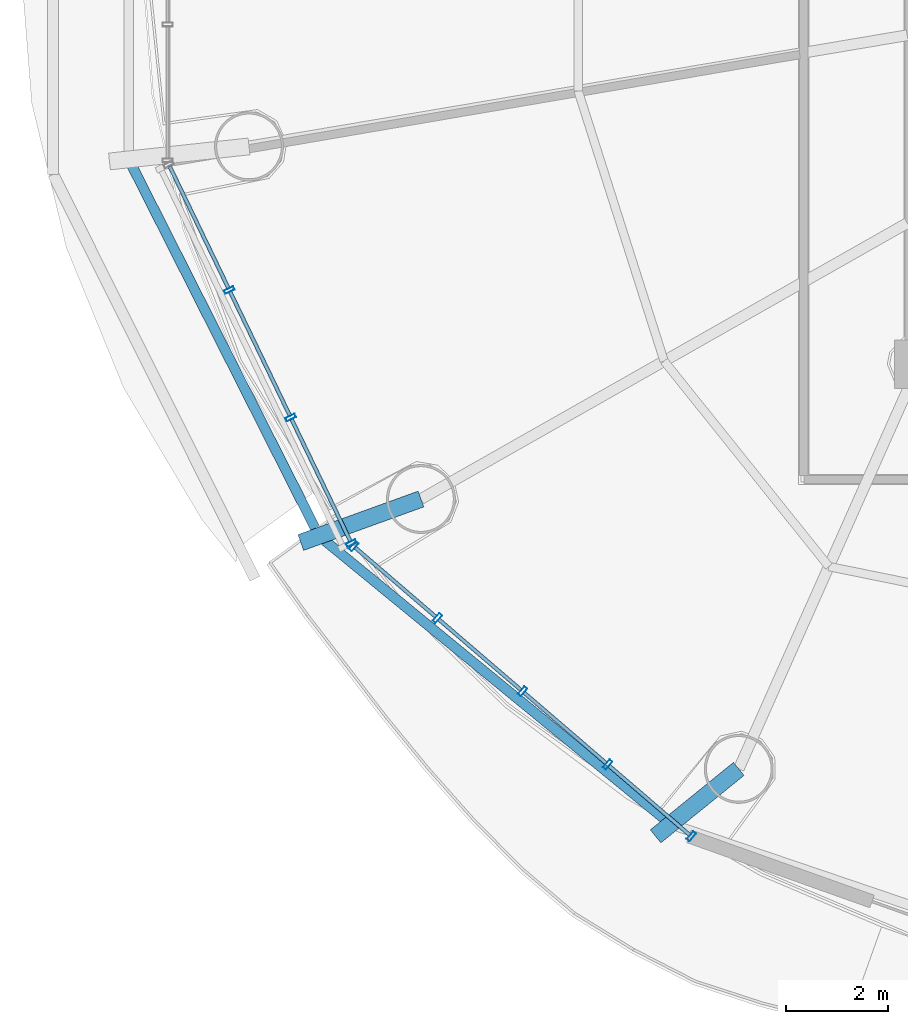
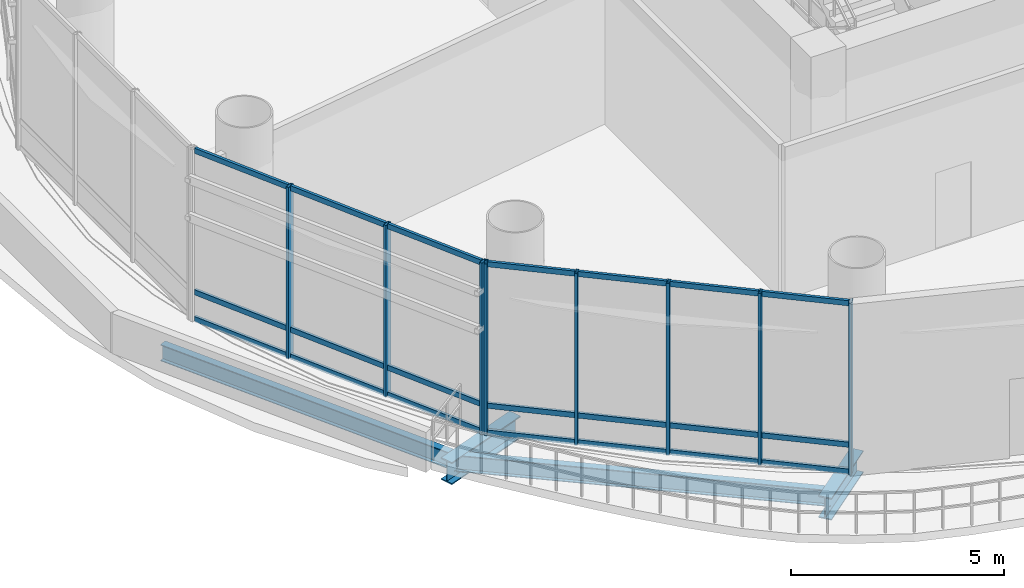
# One storey, part 2 of 29: 29 members, 4 beams, 2 elements without a shape of their own.
"""IFC4 building model written with IfcOpenShell, lengths in metres."""

from ifc_helpers import new_model, si_unit, direction, frame, origin, origin_2d, place, context, subcontext, project, spatial, hollow_rectangle, i_section, extrude, source, transform, mapped, material, material_profile, profile_set, type_object, element, aggregate, save


model = new_model("IFC4")

# Units and contexts
model_context = context("Model", 3, precision=1e-05, world=origin(), true_north=direction((-0.2419218956, 0.970295726276)))
body_context = subcontext(model_context, "Body", "Model", "MODEL_VIEW")
ifc_project = project(units=[si_unit("LENGTHUNIT", "METRE"), si_unit("AREAUNIT", "SQUARE_METRE"), si_unit("VOLUMEUNIT", "CUBIC_METRE"), si_unit("PLANEANGLEUNIT", "RADIAN"), si_unit("MASSUNIT", "GRAM", prefix="KILO")], contexts=[model_context])

# Site, building, storey
site_placement = place(None, origin())
site = spatial("IfcSite", under=ifc_project, at=site_placement, CompositionType="ELEMENT")
building_placement = place(site_placement, origin())
building = spatial("IfcBuilding", under=site, at=building_placement, Name="Cobrevalo Terracotta Tower", CompositionType="ELEMENT")
storey_placement = place(building_placement, frame((0.0, 0.0, 130.199951171875)))
storey = spatial("IfcBuildingStorey", under=building, at=storey_placement, Name="L34", CompositionType="ELEMENT", Elevation=130.199951171875)

# Beams
ifc_material_1 = material(Name="Steel S355", Category="steel")
ifc_material_profile_1 = material_profile(ifc_material_1, i_section(OverallWidth=0.3291015625, OverallDepth=0.635009765625, WebThickness=0.017822265625, FlangeThickness=0.031005859375, at=origin_2d()), Name="W 610x241")
ifc_profile_set_1 = profile_set([ifc_material_profile_1], Name="Steel S355")
beam_type_1 = type_object("IfcBeamType", Name="Structural Beam W 610x241 (Steel S355)", PredefinedType="BEAM", material=ifc_profile_set_1)
beam_1_placement = place(storey_placement, frame((16.8974609375, 15.309326171875, -0.767333984375), z_axis=(0.94030515472, 0.340332508007, 0.0), x_axis=(-0.340332508007, 0.94030515472, 0.0)))
element("IfcBeam", 1, at=beam_1_placement, inside=storey, type_object=beam_type_1, Name="L34 setback step-link girder 10", PredefinedType="BEAM", context=body_context, shape_type="SweptSolid", body=[
    extrude(i_section(OverallWidth=0.3291015625, OverallDepth=0.635009765625, WebThickness=0.017822265625, FlangeThickness=0.031005859375, at=origin_2d()), origin(), (0.0, 0.0, 1.0), 2.502197265625),
])
beam_2_placement = place(storey_placement, frame((23.84326171875, 9.55712890625, -0.767333984375), z_axis=(0.776808092636, 0.629737395439, 0.0), x_axis=(-0.629737395439, 0.776808092636, 0.0)))
element("IfcBeam", 2, at=beam_2_placement, inside=storey, type_object=beam_type_1, Name="L34 setback step-link girder 11", PredefinedType="BEAM", context=body_context, shape_type="SweptSolid", body=[
    extrude(i_section(OverallWidth=0.3291015625, OverallDepth=0.635009765625, WebThickness=0.017822265625, FlangeThickness=0.031005859375, at=origin_2d()), origin(), (0.0, 0.0, 1.0), 2.0966796875),
])
ifc_material_profile_2 = material_profile(ifc_material_1, i_section(OverallWidth=0.194091796875, OverallDepth=0.468994140625, WebThickness=0.011474609375, FlangeThickness=0.0205078125, at=origin_2d()), Name="W 460x106")
ifc_profile_set_2 = profile_set([ifc_material_profile_2], Name="Steel S355")
beam_type_2 = type_object("IfcBeamType", Name="Structural Spandrel W 460x106 (Steel S355)", PredefinedType="SPANDREL", material=ifc_profile_set_2)
beam_3_placement = place(storey_placement, frame((13.529296875, 22.810302734375, -0.6845703125), z_axis=(0.451051982172, -0.892497680321, 0.0), x_axis=(0.892497680321, 0.451051982172, 0.0)))
element("IfcBeam", 3, at=beam_3_placement, inside=storey, type_object=beam_type_2, Name="L34 perimeter ring spandrel 09", PredefinedType="SPANDREL", context=body_context, shape_type="SweptSolid", body=[
    extrude(i_section(OverallWidth=0.194091796875, OverallDepth=0.468994140625, WebThickness=0.011474609375, FlangeThickness=0.0205078125, at=origin_2d()), origin(), (0.0, 0.0, 1.0), 8.259765625),
])
beam_4_placement = place(storey_placement, frame((17.2548828125, 15.4384765625, -0.6845703125), z_axis=(0.773400923541, -0.633917196064, 0.0), x_axis=(0.633917196064, 0.773400923541, 0.0)))
element("IfcBeam", 4, at=beam_4_placement, inside=storey, type_object=beam_type_2, Name="L34 perimeter ring spandrel 10", PredefinedType="SPANDREL", context=body_context, shape_type="SweptSolid", body=[
    extrude(i_section(OverallWidth=0.194091796875, OverallDepth=0.468994140625, WebThickness=0.011474609375, FlangeThickness=0.0205078125, at=origin_2d()), origin(), (0.0, 0.0, 1.0), 8.900390625),
])

# Curtain wall, members
ifc_material_2 = material(Name="Anodized aluminium", Category="aluminium")
curtain_wall_type = type_object("IfcCurtainWallType", Name="Double-height sky-lobby panoramic curtain wall CW-SK", PredefinedType="NOTDEFINED", material=ifc_material_2)
curtain_wall_1_placement = place(storey_placement, origin())
curtain_wall_1 = element("IfcCurtainWall", 5, at=curtain_wall_1_placement, inside=storey, type_object=curtain_wall_type, Name="L34 curtain wall CW-SK-L34-S09", PredefinedType="NOTDEFINED")
ifc_material_profile_3 = material_profile(ifc_material_2, hollow_rectangle(XDim=0.074951171875, YDim=0.199951171875, WallThickness=0.0048828125, at=origin_2d()), Name="CWM 75x200")
ifc_profile_set_3 = profile_set([ifc_material_profile_3], Name="Anodized aluminium")
member_type_1 = type_object("IfcMemberType", Name="Lower/mid tower unitised mullion 75x200", PredefinedType="MULLION", material=ifc_profile_set_3)
shared_shape_1 = source(origin(), body_context, "Body", "SweptSolid", [
    extrude(hollow_rectangle(XDim=0.074951171875, YDim=0.199951171875, WallThickness=0.0048828125, at=origin_2d()), origin(), (0.0, 0.0, 1.0), 4.929931640625),
])
member_1_placement = place(storey_placement, frame((15.497314453125, 20.252197265625, 0.0), z_axis=(0.0, 0.0, 1.0), x_axis=(0.434209440271, -0.900811945957, 0.0)))
member_1 = element("IfcMember", 6, at=member_1_placement, type_object=member_type_1, Name="CW-SK-L34-S09 vertical mullion 02", PredefinedType="MULLION", context=body_context, shape_type="MappedRepresentation", body=[
    mapped(shared_shape_1, transform((0.0, 0.0, 0.0), scale=1.0)),
])
member_2_placement = place(storey_placement, frame((16.700439453125, 17.756591796875, 0.0), z_axis=(0.0, 0.0, 1.0), x_axis=(0.434209440271, -0.900811945957, 0.0)))
member_2 = element("IfcMember", 7, at=member_2_placement, type_object=member_type_1, Name="CW-SK-L34-S09 vertical mullion 03", PredefinedType="MULLION", context=body_context, shape_type="MappedRepresentation", body=[
    mapped(shared_shape_1, transform((0.0, 0.0, 0.0), scale=1.0)),
])
member_3_placement = place(storey_placement, frame((17.885986328125, 15.296875, 0.0), z_axis=(0.0, 0.0, 1.0), x_axis=(0.434209440271, -0.900811945957, 0.0)))
member_3 = element("IfcMember", 8, at=member_3_placement, type_object=member_type_1, Name="CW-SK-L34-S09 vertical mullion 04", PredefinedType="MULLION", context=body_context, shape_type="MappedRepresentation", body=[
    mapped(shared_shape_1, transform((0.0, 0.0, 0.0), scale=1.0)),
])

curtain_wall_2_placement = place(storey_placement, origin())
curtain_wall_2 = element("IfcCurtainWall", 9, at=curtain_wall_2_placement, inside=storey, type_object=curtain_wall_type, Name="L34 curtain wall CW-SK-L34-S10", PredefinedType="NOTDEFINED")
member_4_placement = place(storey_placement, frame((17.933837890625, 15.234619140625, 0.0), z_axis=(0.0, 0.0, 1.0), x_axis=(0.758441546142, -0.65174106905, 0.0)))
member_4 = element("IfcMember", 10, at=member_4_placement, type_object=member_type_1, Name="CW-SK-L34-S10 vertical mullion 01", PredefinedType="MULLION", context=body_context, shape_type="MappedRepresentation", body=[
    mapped(shared_shape_1, transform((0.0, 0.0, 0.0), scale=1.0)),
])
member_5_placement = place(storey_placement, frame((19.570556640625, 13.828125, 0.0), z_axis=(0.0, 0.0, 1.0), x_axis=(0.758441546142, -0.65174106905, 0.0)))
member_5 = element("IfcMember", 11, at=member_5_placement, type_object=member_type_1, Name="CW-SK-L34-S10 vertical mullion 02", PredefinedType="MULLION", context=body_context, shape_type="MappedRepresentation", body=[
    mapped(shared_shape_1, transform((0.0, 0.0, 0.0), scale=1.0)),
])
member_6_placement = place(storey_placement, frame((21.237548828125, 12.3955078125, 0.0), z_axis=(0.0, 0.0, 1.0), x_axis=(0.758441546142, -0.65174106905, 0.0)))
member_6 = element("IfcMember", 12, at=member_6_placement, type_object=member_type_1, Name="CW-SK-L34-S10 vertical mullion 03", PredefinedType="MULLION", context=body_context, shape_type="MappedRepresentation", body=[
    mapped(shared_shape_1, transform((0.0, 0.0, 0.0), scale=1.0)),
])
member_7_placement = place(storey_placement, frame((22.90478515625, 10.962890625, 0.0), z_axis=(0.0, 0.0, 1.0), x_axis=(0.758441546142, -0.65174106905, 0.0)))
member_7 = element("IfcMember", 13, at=member_7_placement, type_object=member_type_1, Name="CW-SK-L34-S10 vertical mullion 04", PredefinedType="MULLION", context=body_context, shape_type="MappedRepresentation", body=[
    mapped(shared_shape_1, transform((0.0, 0.0, 0.0), scale=1.0)),
])
member_8_placement = place(storey_placement, frame((24.54150390625, 9.556396484375, 0.0), z_axis=(0.0, 0.0, 1.0), x_axis=(0.758441546142, -0.65174106905, 0.0)))
member_8 = element("IfcMember", 14, at=member_8_placement, type_object=member_type_1, Name="CW-SK-L34-S10 vertical mullion 05", PredefinedType="MULLION", context=body_context, shape_type="MappedRepresentation", body=[
    mapped(shared_shape_1, transform((0.0, 0.0, 0.0), scale=1.0)),
])

# Member
ifc_material_profile_4 = material_profile(ifc_material_2, hollow_rectangle(XDim=0.074951171875, YDim=0.14990234375, WallThickness=0.00439453125, at=origin_2d()), Name="CWT 75x150")
ifc_profile_set_4 = profile_set([ifc_material_profile_4], Name="Anodized aluminium")
member_type_2 = type_object("IfcMemberType", Name="Tower unitised aluminium transom 75x150", PredefinedType="USERDEFINED", material=ifc_profile_set_4)
shared_shape_2 = source(origin(), body_context, "Body", "SweptSolid", [
    extrude(hollow_rectangle(XDim=0.074951171875, YDim=0.14990234375, WallThickness=0.00439453125, at=origin_2d()), origin(), (0.0, 0.0, 1.0), 2.650634765625),
])
member_9_placement = place(storey_placement, frame((14.3291015625, 22.676025390625, 0.050048828125), z_axis=(0.434197756715, -0.900817577572, 0.0), x_axis=(0.900817577572, 0.434197756715, 0.0)))
member_9 = element("IfcMember", 15, at=member_9_placement, type_object=member_type_2, Name="CW-SK-L34-S09 transom B01-T1", ObjectType="TRANSOM", PredefinedType="USERDEFINED", context=body_context, shape_type="MappedRepresentation", body=[
    mapped(shared_shape_2, transform((0.0, 0.0, 0.0), scale=1.0)),
])

member_10_placement = place(storey_placement, frame((14.3291015625, 22.676025390625, 0.820068359375), z_axis=(0.434197756715, -0.900817577572, 0.0), x_axis=(0.900817577572, 0.434197756715, 0.0)))
member_10 = element("IfcMember", 16, at=member_10_placement, type_object=member_type_2, Name="CW-SK-L34-S09 transom B01-T2", ObjectType="TRANSOM", PredefinedType="USERDEFINED", context=body_context, shape_type="MappedRepresentation", body=[
    mapped(shared_shape_2, transform((0.0, 0.0, 0.0), scale=1.0)),
])

member_11_placement = place(storey_placement, frame((14.3291015625, 22.676025390625, 4.880126953125), z_axis=(0.434197756715, -0.900817577572, 0.0), x_axis=(0.900817577572, 0.434197756715, 0.0)))
member_11 = element("IfcMember", 17, at=member_11_placement, type_object=member_type_2, Name="CW-SK-L34-S09 transom B01-T3", ObjectType="TRANSOM", PredefinedType="USERDEFINED", context=body_context, shape_type="MappedRepresentation", body=[
    mapped(shared_shape_2, transform((0.0, 0.0, 0.0), scale=1.0)),
])

member_12_placement = place(storey_placement, frame((16.7177734375, 17.720458984375, 0.050048828125), z_axis=(0.434197756715, -0.900817577572, 0.0), x_axis=(0.900817577572, 0.434197756715, 0.0)))
member_12 = element("IfcMember", 18, at=member_12_placement, type_object=member_type_2, Name="CW-SK-L34-S09 transom B03-T1", ObjectType="TRANSOM", PredefinedType="USERDEFINED", context=body_context, shape_type="MappedRepresentation", body=[
    mapped(shared_shape_2, transform((0.0, 0.0, 0.0), scale=1.0)),
])

member_13_placement = place(storey_placement, frame((16.7177734375, 17.720458984375, 0.820068359375), z_axis=(0.434197756715, -0.900817577572, 0.0), x_axis=(0.900817577572, 0.434197756715, 0.0)))
member_13 = element("IfcMember", 19, at=member_13_placement, type_object=member_type_2, Name="CW-SK-L34-S09 transom B03-T2", ObjectType="TRANSOM", PredefinedType="USERDEFINED", context=body_context, shape_type="MappedRepresentation", body=[
    mapped(shared_shape_2, transform((0.0, 0.0, 0.0), scale=1.0)),
])

member_14_placement = place(storey_placement, frame((16.7177734375, 17.720458984375, 4.880126953125), z_axis=(0.434197756715, -0.900817577572, 0.0), x_axis=(0.900817577572, 0.434197756715, 0.0)))
member_14 = element("IfcMember", 20, at=member_14_placement, type_object=member_type_2, Name="CW-SK-L34-S09 transom B03-T3", ObjectType="TRANSOM", PredefinedType="USERDEFINED", context=body_context, shape_type="MappedRepresentation", body=[
    mapped(shared_shape_2, transform((0.0, 0.0, 0.0), scale=1.0)),
])

shared_shape_3 = source(origin(), body_context, "Body", "SweptSolid", [
    extrude(hollow_rectangle(XDim=0.074951171875, YDim=0.14990234375, WallThickness=0.00439453125, at=origin_2d()), origin(), (0.0, 0.0, 1.0), 2.078125),
])
member_15_placement = place(storey_placement, frame((17.964111328125, 15.208740234375, 0.050048828125), z_axis=(0.758426741801, -0.651758296703, 0.0), x_axis=(0.651758296703, 0.758426741801, 0.0)))
member_15 = element("IfcMember", 21, at=member_15_placement, type_object=member_type_2, Name="CW-SK-L34-S10 transom B01-T1", ObjectType="TRANSOM", PredefinedType="USERDEFINED", context=body_context, shape_type="MappedRepresentation", body=[
    mapped(shared_shape_3, transform((0.0, 0.0, 0.0), scale=1.0)),
])

member_16_placement = place(storey_placement, frame((17.964111328125, 15.208740234375, 0.820068359375), z_axis=(0.758426741801, -0.651758296703, 0.0), x_axis=(0.651758296703, 0.758426741801, 0.0)))
member_16 = element("IfcMember", 22, at=member_16_placement, type_object=member_type_2, Name="CW-SK-L34-S10 transom B01-T2", ObjectType="TRANSOM", PredefinedType="USERDEFINED", context=body_context, shape_type="MappedRepresentation", body=[
    mapped(shared_shape_3, transform((0.0, 0.0, 0.0), scale=1.0)),
])

member_17_placement = place(storey_placement, frame((17.964111328125, 15.208740234375, 4.880126953125), z_axis=(0.758426741801, -0.651758296703, 0.0), x_axis=(0.651758296703, 0.758426741801, 0.0)))
member_17 = element("IfcMember", 23, at=member_17_placement, type_object=member_type_2, Name="CW-SK-L34-S10 transom B01-T3", ObjectType="TRANSOM", PredefinedType="USERDEFINED", context=body_context, shape_type="MappedRepresentation", body=[
    mapped(shared_shape_3, transform((0.0, 0.0, 0.0), scale=1.0)),
])

member_18_placement = place(storey_placement, frame((22.93505859375, 10.93701171875, 0.050048828125), z_axis=(0.758426741801, -0.651758296703, 0.0), x_axis=(0.651758296703, 0.758426741801, 0.0)))
member_18 = element("IfcMember", 24, at=member_18_placement, type_object=member_type_2, Name="CW-SK-L34-S10 transom B04-T1", ObjectType="TRANSOM", PredefinedType="USERDEFINED", context=body_context, shape_type="MappedRepresentation", body=[
    mapped(shared_shape_3, transform((0.0, 0.0, 0.0), scale=1.0)),
])

member_19_placement = place(storey_placement, frame((22.93505859375, 10.93701171875, 0.820068359375), z_axis=(0.758426741801, -0.651758296703, 0.0), x_axis=(0.651758296703, 0.758426741801, 0.0)))
member_19 = element("IfcMember", 25, at=member_19_placement, type_object=member_type_2, Name="CW-SK-L34-S10 transom B04-T2", ObjectType="TRANSOM", PredefinedType="USERDEFINED", context=body_context, shape_type="MappedRepresentation", body=[
    mapped(shared_shape_3, transform((0.0, 0.0, 0.0), scale=1.0)),
])

member_20_placement = place(storey_placement, frame((22.93505859375, 10.93701171875, 4.880126953125), z_axis=(0.758426741801, -0.651758296703, 0.0), x_axis=(0.651758296703, 0.758426741801, 0.0)))
member_20 = element("IfcMember", 26, at=member_20_placement, type_object=member_type_2, Name="CW-SK-L34-S10 transom B04-T3", ObjectType="TRANSOM", PredefinedType="USERDEFINED", context=body_context, shape_type="MappedRepresentation", body=[
    mapped(shared_shape_3, transform((0.0, 0.0, 0.0), scale=1.0)),
])

shared_shape_4 = source(origin(), body_context, "Body", "SweptSolid", [
    extrude(hollow_rectangle(XDim=0.074951171875, YDim=0.14990234375, WallThickness=0.00439453125, at=origin_2d()), origin(), (0.0, 0.0, 1.0), 2.690673828125),
])
member_21_placement = place(storey_placement, frame((15.514892578125, 20.21630859375, 0.050048828125), z_axis=(0.434172972316, -0.900829523334, 0.0), x_axis=(0.900829523334, 0.434172972316, 0.0)))
member_21 = element("IfcMember", 27, at=member_21_placement, type_object=member_type_2, Name="CW-SK-L34-S09 transom B02-T1", ObjectType="TRANSOM", PredefinedType="USERDEFINED", context=body_context, shape_type="MappedRepresentation", body=[
    mapped(shared_shape_4, transform((0.0, 0.0, 0.0), scale=1.0)),
])

member_22_placement = place(storey_placement, frame((15.514892578125, 20.21630859375, 0.820068359375), z_axis=(0.434172972316, -0.900829523334, 0.0), x_axis=(0.900829523334, 0.434172972316, 0.0)))
member_22 = element("IfcMember", 28, at=member_22_placement, type_object=member_type_2, Name="CW-SK-L34-S09 transom B02-T2", ObjectType="TRANSOM", PredefinedType="USERDEFINED", context=body_context, shape_type="MappedRepresentation", body=[
    mapped(shared_shape_4, transform((0.0, 0.0, 0.0), scale=1.0)),
])

member_23_placement = place(storey_placement, frame((15.514892578125, 20.21630859375, 4.880126953125), z_axis=(0.434172972316, -0.900829523334, 0.0), x_axis=(0.900829523334, 0.434172972316, 0.0)))
member_23 = element("IfcMember", 29, at=member_23_placement, type_object=member_type_2, Name="CW-SK-L34-S09 transom B02-T3", ObjectType="TRANSOM", PredefinedType="USERDEFINED", context=body_context, shape_type="MappedRepresentation", body=[
    mapped(shared_shape_4, transform((0.0, 0.0, 0.0), scale=1.0)),
])

aggregate(curtain_wall_1, [member_1, member_2, member_3, member_9, member_10, member_11, member_21, member_22, member_23, member_12, member_13, member_14])

shared_shape_5 = source(origin(), body_context, "Body", "SweptSolid", [
    extrude(hollow_rectangle(XDim=0.074951171875, YDim=0.14990234375, WallThickness=0.00439453125, at=origin_2d()), origin(), (0.0, 0.0, 1.0), 2.1181640625),
])
member_24_placement = place(storey_placement, frame((19.600830078125, 13.80224609375, 0.050048828125), z_axis=(0.758401678508, -0.651787460785, 0.0), x_axis=(0.651787460785, 0.758401678508, 0.0)))
member_24 = element("IfcMember", 30, at=member_24_placement, type_object=member_type_2, Name="CW-SK-L34-S10 transom B02-T1", ObjectType="TRANSOM", PredefinedType="USERDEFINED", context=body_context, shape_type="MappedRepresentation", body=[
    mapped(shared_shape_5, transform((0.0, 0.0, 0.0), scale=1.0)),
])

member_25_placement = place(storey_placement, frame((19.600830078125, 13.80224609375, 0.820068359375), z_axis=(0.758401678508, -0.651787460785, 0.0), x_axis=(0.651787460785, 0.758401678508, 0.0)))
member_25 = element("IfcMember", 31, at=member_25_placement, type_object=member_type_2, Name="CW-SK-L34-S10 transom B02-T2", ObjectType="TRANSOM", PredefinedType="USERDEFINED", context=body_context, shape_type="MappedRepresentation", body=[
    mapped(shared_shape_5, transform((0.0, 0.0, 0.0), scale=1.0)),
])

member_26_placement = place(storey_placement, frame((19.600830078125, 13.80224609375, 4.880126953125), z_axis=(0.758401678508, -0.651787460785, 0.0), x_axis=(0.651787460785, 0.758401678508, 0.0)))
member_26 = element("IfcMember", 32, at=member_26_placement, type_object=member_type_2, Name="CW-SK-L34-S10 transom B02-T3", ObjectType="TRANSOM", PredefinedType="USERDEFINED", context=body_context, shape_type="MappedRepresentation", body=[
    mapped(shared_shape_5, transform((0.0, 0.0, 0.0), scale=1.0)),
])

member_27_placement = place(storey_placement, frame((21.26806640625, 12.36962890625, 0.050048828125), z_axis=(0.758401678508, -0.651787460785, 0.0), x_axis=(0.651787460785, 0.758401678508, 0.0)))
member_27 = element("IfcMember", 33, at=member_27_placement, type_object=member_type_2, Name="CW-SK-L34-S10 transom B03-T1", ObjectType="TRANSOM", PredefinedType="USERDEFINED", context=body_context, shape_type="MappedRepresentation", body=[
    mapped(shared_shape_5, transform((0.0, 0.0, 0.0), scale=1.0)),
])

member_28_placement = place(storey_placement, frame((21.26806640625, 12.36962890625, 0.820068359375), z_axis=(0.758401678508, -0.651787460785, 0.0), x_axis=(0.651787460785, 0.758401678508, 0.0)))
member_28 = element("IfcMember", 34, at=member_28_placement, type_object=member_type_2, Name="CW-SK-L34-S10 transom B03-T2", ObjectType="TRANSOM", PredefinedType="USERDEFINED", context=body_context, shape_type="MappedRepresentation", body=[
    mapped(shared_shape_5, transform((0.0, 0.0, 0.0), scale=1.0)),
])

member_29_placement = place(storey_placement, frame((21.26806640625, 12.36962890625, 4.880126953125), z_axis=(0.758401678508, -0.651787460785, 0.0), x_axis=(0.651787460785, 0.758401678508, 0.0)))
member_29 = element("IfcMember", 35, at=member_29_placement, type_object=member_type_2, Name="CW-SK-L34-S10 transom B03-T3", ObjectType="TRANSOM", PredefinedType="USERDEFINED", context=body_context, shape_type="MappedRepresentation", body=[
    mapped(shared_shape_5, transform((0.0, 0.0, 0.0), scale=1.0)),
])

aggregate(curtain_wall_2, [member_4, member_5, member_6, member_7, member_8, member_15, member_16, member_17, member_24, member_25, member_26, member_27, member_28, member_29, member_18, member_19, member_20])

save(model, "model.ifc")
